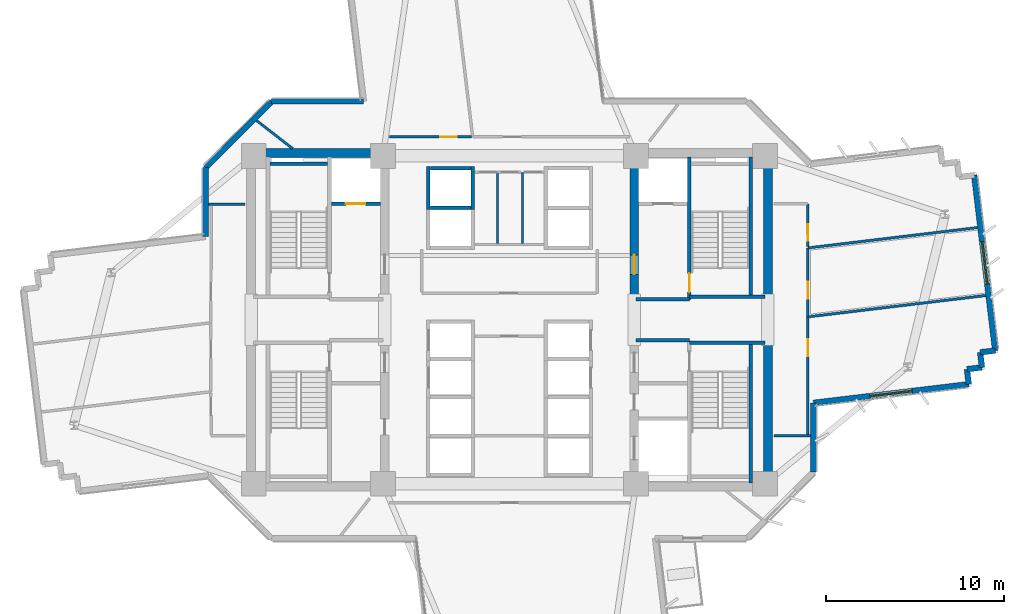
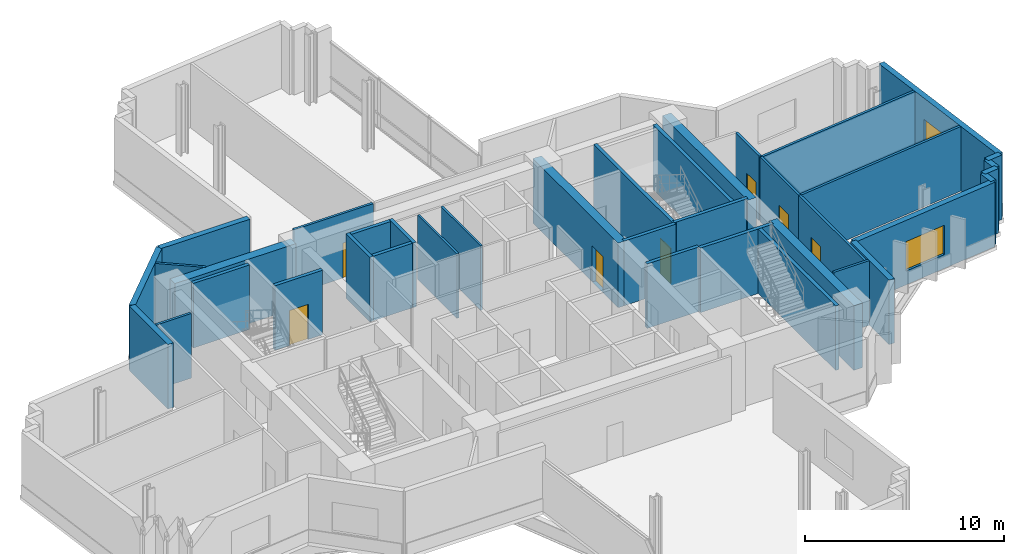
# One storey, part 8 of 15: 38 walls, 7 doors, 2 windows, 9 openings.
"""IFC4 building model written with IfcOpenShell, lengths in metres."""

from ifc_helpers import new_model, si_unit, direction, frame, frame_2d, origin, place, context, subcontext, project, spatial, rectangle, extrude, source, transform, mapped, material, layer, layer_set, type_object, element, fill, save


model = new_model("IFC4")

# Units and contexts
model_context = context("Model", 3, precision=1e-05, world=origin(), true_north=direction((0.0, 1.0)))
body_context = subcontext(model_context, "Body", "Model", "MODEL_VIEW")
ifc_project = project(units=[si_unit("LENGTHUNIT", "METRE"), si_unit("AREAUNIT", "SQUARE_METRE"), si_unit("VOLUMEUNIT", "CUBIC_METRE"), si_unit("PLANEANGLEUNIT", "RADIAN"), si_unit("MASSUNIT", "GRAM", prefix="KILO")], contexts=[model_context])

# Site, building, storey
site_placement = place(None, origin())
site = spatial("IfcSite", under=ifc_project, at=site_placement, CompositionType="ELEMENT")
building_placement = place(site_placement, origin())
building = spatial("IfcBuilding", under=site, at=building_placement, Name="Zahravan Cultural Tower", CompositionType="ELEMENT")
storey_placement = place(building_placement, frame((0.0, 0.0, 104.699951171875)))
storey = spatial("IfcBuildingStorey", under=building, at=storey_placement, Name="L23", CompositionType="ELEMENT", Elevation=104.699951171875)

# Wall, opening, door
ifc_material_1 = material(Name="Concrete C60/75", Category="concrete")
ifc_layer_1 = layer(ifc_material_1, 0.5)
ifc_layer_set_1 = layer_set([ifc_layer_1], Name="Concrete C60/75")
wall_type_1 = type_object("IfcWallType", Name="CW-SHEAR-500-C60", PredefinedType="SHEAR", material=ifc_layer_set_1)
wall_1_placement = place(storey_placement, frame((43.0, 28.050048828125, 0.0), z_axis=(0.0, 0.0, 1.0), x_axis=(0.0, 1.0, 0.0)))
wall_1 = element("IfcWall", 1, at=wall_1_placement, inside=storey, type_object=wall_type_1, Name="L23 Core Shear Wall CW-E-WN-L23", PredefinedType="SHEAR", context=body_context, shape_type="SweptSolid", body=[
    extrude(rectangle(XDim=8.550048828125, YDim=0.5, at=frame_2d((4.27490234375, 0.0))), origin(), (0.0, 0.0, 1.0), 3.949951171875),
])
opening_1_placement = place(wall_1_placement, frame((1.5, 0.0, 0.0)))
opening_1 = element("IfcOpeningElement", 2, at=opening_1_placement, cuts=wall_1, Name="Opening D-L23-06", PredefinedType="OPENING", context=body_context, shape_type="SweptSolid", body=[
    extrude(rectangle(XDim=1.10009765625, YDim=2.199951171875, at=frame_2d((0.550048828125, 1.10009765625))), frame((0.0, 0.260009765625, 0.0), z_axis=(0.0, -1.0, 0.0), x_axis=(1.0, 0.0, 0.0)), (0.0, 0.0, 1.0), 0.52001953125),
])
ifc_material_2 = material(Name="Steel ASTM A572 Grade 50", Category="steel")
door_type_1 = type_object("IfcDoorType", Name="DR-LOBBY-1100", OperationType="NOTDEFINED", PredefinedType="DOOR", material=ifc_material_2)
shared_shape_1 = source(origin(), body_context, "Body", "SweptSolid", [
    extrude(rectangle(XDim=1.10009765625, YDim=2.199951171875, at=frame_2d((0.550048828125, 1.10009765625))), frame((0.0, 0.02490234375, 0.0), z_axis=(0.0, -1.0, 0.0), x_axis=(1.0, 0.0, 0.0)), (0.0, 0.0, 1.0), 0.050048828125),
])
door_1_placement = place(opening_1_placement, origin())
door_1 = element("IfcDoor", 3, at=door_1_placement, inside=storey, type_object=door_type_1, Name="L23 Door D-L23-06", OperationType="SINGLE_SWING_LEFT", OverallHeight=2.199951171875, OverallWidth=1.10009765625, PredefinedType="DOOR", context=body_context, shape_type="MappedRepresentation", body=[
    mapped(shared_shape_1, transform((0.0, 0.0, 0.0), x_axis=(1.0, 0.0, 0.0), y_axis=(0.0, 1.0, 0.0), z_axis=(0.0, 0.0, 1.0), scale=1.0)),
])
fill(opening_1, door_1)

# Wall, opening, window
ifc_material_3 = material(Name="Precast concrete C40/50", Category="concrete")
ifc_layer_2 = layer(ifc_material_3, 0.320068359375)
ifc_layer_set_2 = layer_set([ifc_layer_2], Name="Precast concrete C40/50")
wall_type_2 = type_object("IfcWallType", Name="EW-TC-320", PredefinedType="SOLIDWALL", material=ifc_layer_set_2)
wall_2_placement = place(storey_placement, frame((62.078125, 35.12353515625, 0.0), z_axis=(0.0, 0.0, 1.0), x_axis=(0.119092815244, -0.992883125729, 0.0)))
wall_2 = element("IfcWall", 4, at=wall_2_placement, inside=storey, type_object=wall_type_2, Name="L23 Exterior Masonry Frame Wall 06", PredefinedType="SOLIDWALL", context=body_context, shape_type="SweptSolid", body=[
    extrude(rectangle(XDim=9.919921875, YDim=0.320068359375, at=frame_2d((4.9599609375, 0.0))), origin(), (0.0, 0.0, 1.0), 3.949951171875),
])
opening_2_placement = place(wall_2_placement, frame((3.760009765625, 0.0, 0.85009765625)))
opening_2 = element("IfcOpeningElement", 5, at=opening_2_placement, cuts=wall_2, Name="Opening WN-01", PredefinedType="OPENING", context=body_context, shape_type="SweptSolid", body=[
    extrude(rectangle(XDim=2.39990234375, YDim=1.800048828125, at=frame_2d((1.199951171875, 0.89990234375))), frame((0.0, 0.169921875, 0.0), z_axis=(0.0, -1.0, 0.0), x_axis=(1.0, 0.0, 0.0)), (0.0, 0.0, 1.0), 0.340087890625),
])
ifc_material_4 = material(Name="Low-E solar-control double glazing", Category="glass")
window_type = type_object("IfcWindowType", Name="WN-REC-2400X1800", PartitioningType="DOUBLE_PANEL_VERTICAL", PredefinedType="WINDOW", material=ifc_material_4)
shared_shape_2 = source(origin(), body_context, "Body", "SweptSolid", [
    extrude(rectangle(XDim=2.39990234375, YDim=1.800048828125, at=frame_2d((1.199951171875, 0.89990234375))), frame((0.0, 0.030029296875, 0.0), z_axis=(0.0, -1.0, 0.0), x_axis=(1.0, 0.0, 0.0)), (0.0, 0.0, 1.0), 0.06005859375),
])
window_1_placement = place(opening_2_placement, origin())
window_1 = element("IfcWindow", 6, at=window_1_placement, inside=storey, type_object=window_type, Name="L23 Recessed Solar Window 02", OverallHeight=1.800048828125, OverallWidth=2.39990234375, PartitioningType="DOUBLE_PANEL_VERTICAL", PredefinedType="WINDOW", context=body_context, shape_type="MappedRepresentation", body=[
    mapped(shared_shape_2, transform((0.0, 0.0, 0.0), x_axis=(1.0, 0.0, 0.0), y_axis=(0.0, 1.0, 0.0), z_axis=(0.0, 0.0, 1.0), scale=1.0)),
])
fill(opening_2, window_1)

wall_3_placement = place(storey_placement, frame((61.774169921875, 23.3837890625, 0.0), z_axis=(0.0, 0.0, 1.0), x_axis=(-0.992883944618, -0.119085987922, 0.0)))
wall_3 = element("IfcWall", 7, at=wall_3_placement, inside=storey, type_object=wall_type_2, Name="L23 Exterior Masonry Frame Wall 11", PredefinedType="SOLIDWALL", context=body_context, shape_type="SweptSolid", body=[
    extrude(rectangle(XDim=8.776611328125, YDim=0.320068359375, at=frame_2d((4.38818359375, 0.0))), origin(), (0.0, 0.0, 1.0), 3.949951171875),
])
opening_3_placement = place(wall_3_placement, frame((3.18798828125, 0.0, 0.85009765625)))
opening_3 = element("IfcOpeningElement", 8, at=opening_3_placement, cuts=wall_3, Name="Opening WN-01", PredefinedType="OPENING", context=body_context, shape_type="SweptSolid", body=[
    extrude(rectangle(XDim=2.39990234375, YDim=1.800048828125, at=frame_2d((1.199951171875, 0.89990234375))), frame((0.0, 0.169921875, 0.0), z_axis=(0.0, -1.0, 0.0), x_axis=(1.0, 0.0, 0.0)), (0.0, 0.0, 1.0), 0.340087890625),
])
window_2_placement = place(opening_3_placement, origin())
window_2 = element("IfcWindow", 9, at=window_2_placement, inside=storey, type_object=window_type, Name="L23 Recessed Solar Window 03", OverallHeight=1.800048828125, OverallWidth=2.39990234375, PartitioningType="DOUBLE_PANEL_VERTICAL", PredefinedType="WINDOW", context=body_context, shape_type="MappedRepresentation", body=[
    mapped(shared_shape_2, transform((0.0, 0.0, 0.0), x_axis=(1.0, 0.0, 0.0), y_axis=(0.0, 1.0, 0.0), z_axis=(0.0, 0.0, 1.0), scale=1.0)),
])
fill(opening_3, window_2)

# Wall, opening, door
ifc_material_5 = material(Name="Gypsum plasterboard partition")
ifc_layer_3 = layer(ifc_material_5, 0.139892578125)
ifc_layer_set_3 = layer_set([ifc_layer_3], Name="Gypsum plasterboard partition")
wall_type_3 = type_object("IfcWallType", Name="W-PART-140", PredefinedType="PARTITIONING", material=ifc_layer_set_3)
wall_4_placement = place(storey_placement, frame((52.75, 27.166015625, 0.0), z_axis=(0.0, 0.0, 1.0), x_axis=(0.0, 1.0, 0.0)))
wall_4 = element("IfcWall", 10, at=wall_4_placement, inside=storey, type_object=wall_type_3, Name="L23 Interior Wall 079", PredefinedType="PARTITIONING", context=body_context, shape_type="SweptSolid", body=[
    extrude(rectangle(XDim=3.86767578125, YDim=0.139892578125, at=frame_2d((1.933837890625, 0.0))), origin(), (0.0, 0.0, 1.0), 3.949951171875),
])
opening_4_placement = place(wall_4_placement, frame((1.02099609375, 0.0, 0.0)))
opening_4 = element("IfcOpeningElement", 11, at=opening_4_placement, cuts=wall_4, Name="Opening D-L23-17", PredefinedType="OPENING", context=body_context, shape_type="SweptSolid", body=[
    extrude(rectangle(XDim=0.949951171875, YDim=2.14990234375, at=frame_2d((0.47509765625, 1.074951171875))), frame((0.0, 0.079833984375, 0.0), z_axis=(0.0, -1.0, 0.0), x_axis=(1.0, 0.0, 0.0)), (0.0, 0.0, 1.0), 0.159912109375),
])
ifc_material_6 = material(Name="Anodised bronze-aluminium mullion", Category="aluminium")
door_type_2 = type_object("IfcDoorType", Name="DR-ROOM-950", OperationType="NOTDEFINED", PredefinedType="DOOR", material=ifc_material_6)
shared_shape_3 = source(origin(), body_context, "Body", "SweptSolid", [
    extrude(rectangle(XDim=0.949951171875, YDim=2.14990234375, at=frame_2d((0.47509765625, 1.074951171875))), frame((0.0, 0.02490234375, 0.0), z_axis=(0.0, -1.0, 0.0), x_axis=(1.0, 0.0, 0.0)), (0.0, 0.0, 1.0), 0.050048828125),
])
door_2_placement = place(opening_4_placement, origin())
door_2 = element("IfcDoor", 12, at=door_2_placement, inside=storey, type_object=door_type_2, Name="L23 Door D-L23-17", OperationType="SINGLE_SWING_RIGHT", OverallHeight=2.14990234375, OverallWidth=0.949951171875, PredefinedType="DOOR", context=body_context, shape_type="MappedRepresentation", body=[
    mapped(shared_shape_3, transform((0.0, 0.0, 0.0), x_axis=(1.0, 0.0, 0.0), y_axis=(0.0, 1.0, 0.0), z_axis=(0.0, 0.0, 1.0), scale=1.0)),
])
fill(opening_4, door_2)

wall_5_placement = place(storey_placement, frame((52.75, 20.5751953125, 0.0), z_axis=(0.0, 0.0, 1.0), x_axis=(0.0, 1.0, 0.0)))
wall_5 = element("IfcWall", 13, at=wall_5_placement, inside=storey, type_object=wall_type_3, Name="L23 Interior Wall 089", PredefinedType="PARTITIONING", context=body_context, shape_type="SweptSolid", body=[
    extrude(rectangle(XDim=6.57080078125, YDim=0.139892578125, at=frame_2d((3.285400390625, 0.0))), origin(), (0.0, 0.0, 1.0), 3.949951171875),
])
opening_5_placement = place(wall_5_placement, frame((4.384033203125, 0.0, 0.0)))
opening_5 = element("IfcOpeningElement", 14, at=opening_5_placement, cuts=wall_5, Name="Opening D-L23-16", PredefinedType="OPENING", context=body_context, shape_type="SweptSolid", body=[
    extrude(rectangle(XDim=0.949951171875, YDim=2.14990234375, at=frame_2d((0.47509765625, 1.074951171875))), frame((0.0, 0.079833984375, 0.0), z_axis=(0.0, -1.0, 0.0), x_axis=(1.0, 0.0, 0.0)), (0.0, 0.0, 1.0), 0.159912109375),
])
door_3_placement = place(opening_5_placement, origin())
door_3 = element("IfcDoor", 15, at=door_3_placement, inside=storey, type_object=door_type_2, Name="L23 Door D-L23-16", OperationType="SINGLE_SWING_LEFT", OverallHeight=2.14990234375, OverallWidth=0.949951171875, PredefinedType="DOOR", context=body_context, shape_type="MappedRepresentation", body=[
    mapped(shared_shape_3, transform((0.0, 0.0, 0.0), x_axis=(1.0, 0.0, 0.0), y_axis=(0.0, 1.0, 0.0), z_axis=(0.0, 0.0, 1.0), scale=1.0)),
])
fill(opening_5, door_3)

wall_6_placement = place(storey_placement, frame((52.75, 31.109130859375, 0.0), z_axis=(0.0, 0.0, 1.0), x_axis=(-0.001430175266, 0.999998977299, 0.0)))
wall_6 = element("IfcWall", 16, at=wall_6_placement, inside=storey, type_object=wall_type_3, Name="L23 Interior Wall 092", PredefinedType="PARTITIONING", context=body_context, shape_type="SweptSolid", body=[
    extrude(rectangle(XDim=2.389892578125, YDim=0.139892578125, at=frame_2d((1.19482421875, 0.0))), origin(), (0.0, 0.0, 1.0), 3.949951171875),
])
opening_6_placement = place(wall_6_placement, frame((0.31689453125, 0.0, 0.0)))
opening_6 = element("IfcOpeningElement", 17, at=opening_6_placement, cuts=wall_6, Name="Opening D-L23-18", PredefinedType="OPENING", context=body_context, shape_type="SweptSolid", body=[
    extrude(rectangle(XDim=0.949951171875, YDim=2.14990234375, at=frame_2d((0.47509765625, 1.074951171875))), frame((0.0, 0.079833984375, 0.0), z_axis=(0.0, -1.0, 0.0), x_axis=(1.0, 0.0, 0.0)), (0.0, 0.0, 1.0), 0.159912109375),
])
door_4_placement = place(opening_6_placement, origin())
door_4 = element("IfcDoor", 18, at=door_4_placement, inside=storey, type_object=door_type_2, Name="L23 Door D-L23-18", OperationType="SINGLE_SWING_LEFT", OverallHeight=2.14990234375, OverallWidth=0.949951171875, PredefinedType="DOOR", context=body_context, shape_type="MappedRepresentation", body=[
    mapped(shared_shape_3, transform((0.0, 0.0, 0.0), x_axis=(1.0, 0.0, 0.0), y_axis=(0.0, 1.0, 0.0), z_axis=(0.0, 0.0, 1.0), scale=1.0)),
])
fill(opening_6, door_4)

wall_7_placement = place(storey_placement, frame((33.85791015625, 37.260009765625, 0.0), z_axis=(0.0, 0.0, 1.0), x_axis=(-0.999999998592, -5.3070106e-05, 0.0)))
wall_7 = element("IfcWall", 19, at=wall_7_placement, inside=storey, type_object=wall_type_3, Name="L23 Interior Wall 098", PredefinedType="PARTITIONING", context=body_context, shape_type="SweptSolid", body=[
    extrude(rectangle(XDim=4.600341796875, YDim=0.139892578125, at=frame_2d((2.30029296875, 0.0))), origin(), (0.0, 0.0, 1.0), 3.949951171875),
])
opening_7_placement = place(wall_7_placement, frame((0.802978515625, 0.0, 0.0)))
opening_7 = element("IfcOpeningElement", 20, at=opening_7_placement, cuts=wall_7, Name="Opening D-L23-20", PredefinedType="OPENING", context=body_context, shape_type="SweptSolid", body=[
    extrude(rectangle(XDim=0.949951171875, YDim=2.14990234375, at=frame_2d((0.47509765625, 1.074951171875))), frame((0.0, 0.079833984375, 0.0), z_axis=(0.0, -1.0, 0.0), x_axis=(1.0, 0.0, 0.0)), (0.0, 0.0, 1.0), 0.159912109375),
])
door_5_placement = place(opening_7_placement, origin())
door_5 = element("IfcDoor", 21, at=door_5_placement, inside=storey, type_object=door_type_2, Name="L23 Door D-L23-20", OperationType="SINGLE_SWING_LEFT", OverallHeight=2.14990234375, OverallWidth=0.949951171875, PredefinedType="DOOR", context=body_context, shape_type="MappedRepresentation", body=[
    mapped(shared_shape_3, transform((0.0, 0.0, 0.0), x_axis=(1.0, 0.0, 0.0), y_axis=(0.0, 1.0, 0.0), z_axis=(0.0, 0.0, 1.0), scale=1.0)),
])
fill(opening_7, door_5)

ifc_material_7 = material(Name="Concrete C45/55", Category="concrete")
ifc_layer_4 = layer(ifc_material_7, 0.199951171875)
ifc_layer_set_4 = layer_set([ifc_layer_4], Name="Concrete C45/55")
wall_type_4 = type_object("IfcWallType", Name="W-SHAFT-200", PredefinedType="SOLIDWALL", material=ifc_layer_set_4)
wall_8_placement = place(storey_placement, frame((46.10009765625, 28.14990234375, 0.0), z_axis=(0.0, 0.0, 1.0), x_axis=(0.0, 1.0, 0.0)))
wall_8 = element("IfcWall", 22, at=wall_8_placement, inside=storey, type_object=wall_type_4, Name="L23 Interior Wall 008", PredefinedType="SOLIDWALL", context=body_context, shape_type="SweptSolid", body=[
    extrude(rectangle(XDim=8.0, YDim=0.199951171875, at=frame_2d((4.0, 0.0))), origin(), (0.0, 0.0, 1.0), 3.949951171875),
])
opening_8_placement = place(wall_8_placement, frame((0.39990234375, 0.0, 0.0)))
opening_8 = element("IfcOpeningElement", 23, at=opening_8_placement, cuts=wall_8, Name="Opening D-L23-02", PredefinedType="OPENING", context=body_context, shape_type="SweptSolid", body=[
    extrude(rectangle(XDim=1.050048828125, YDim=2.14990234375, at=frame_2d((0.52490234375, 1.074951171875))), frame((0.0, 0.10986328125, 0.0), z_axis=(0.0, -1.0, 0.0), x_axis=(1.0, 0.0, 0.0)), (0.0, 0.0, 1.0), 0.219970703125),
])
door_type_3 = type_object("IfcDoorType", Name="DR-STAIR-1050", OperationType="NOTDEFINED", PredefinedType="DOOR", material=ifc_material_2)
shared_shape_4 = source(origin(), body_context, "Body", "SweptSolid", [
    extrude(rectangle(XDim=1.050048828125, YDim=2.14990234375, at=frame_2d((0.52490234375, 1.074951171875))), frame((0.0, 0.02490234375, 0.0), z_axis=(0.0, -1.0, 0.0), x_axis=(1.0, 0.0, 0.0)), (0.0, 0.0, 1.0), 0.050048828125),
])
door_6_placement = place(opening_8_placement, origin())
door_6 = element("IfcDoor", 24, at=door_6_placement, inside=storey, type_object=door_type_3, Name="L23 Door D-L23-02", OperationType="SINGLE_SWING_LEFT", OverallHeight=2.14990234375, OverallWidth=1.050048828125, PredefinedType="DOOR", context=body_context, shape_type="MappedRepresentation", body=[
    mapped(shared_shape_4, transform((0.0, 0.0, 0.0), x_axis=(1.0, 0.0, 0.0), y_axis=(0.0, 1.0, 0.0), z_axis=(0.0, 0.0, 1.0), scale=1.0)),
])
fill(opening_8, door_6)

wall_9_placement = place(storey_placement, frame((26.0, 33.52001953125, 0.0), z_axis=(0.0, 0.0, 1.0), x_axis=(1.0, 0.0, 0.0)))
wall_9 = element("IfcWall", 25, at=wall_9_placement, inside=storey, type_object=wall_type_4, Name="L23 Interior Wall 021", PredefinedType="SOLIDWALL", context=body_context, shape_type="SweptSolid", body=[
    extrude(rectangle(XDim=2.75, YDim=0.199951171875, at=frame_2d((1.375, 0.0))), origin(), (0.0, 0.0, 1.0), 3.949951171875),
])
opening_9_placement = place(wall_9_placement, frame((0.820068359375, 0.0, 0.0)))
opening_9 = element("IfcOpeningElement", 26, at=opening_9_placement, cuts=wall_9, Name="Opening LD-L23-01", PredefinedType="OPENING", context=body_context, shape_type="SweptSolid", body=[
    extrude(rectangle(XDim=1.10009765625, YDim=2.14990234375, at=frame_2d((0.550048828125, 1.074951171875))), frame((0.0, 0.10986328125, 0.0), z_axis=(0.0, -1.0, 0.0), x_axis=(1.0, 0.0, 0.0)), (0.0, 0.0, 1.0), 0.219970703125),
])
door_type_4 = type_object("IfcDoorType", Name="DR-LIFT-1100", OperationType="DOUBLE_DOOR_SLIDING", PredefinedType="DOOR", material=ifc_material_2)
shared_shape_5 = source(origin(), body_context, "Body", "SweptSolid", [
    extrude(rectangle(XDim=1.10009765625, YDim=2.14990234375, at=frame_2d((0.550048828125, 1.074951171875))), frame((0.0, 0.02490234375, 0.0), z_axis=(0.0, -1.0, 0.0), x_axis=(1.0, 0.0, 0.0)), (0.0, 0.0, 1.0), 0.050048828125),
])
door_7_placement = place(opening_9_placement, origin())
door_7 = element("IfcDoor", 27, at=door_7_placement, inside=storey, type_object=door_type_4, Name="L23 Door LD-L23-01", OperationType="DOUBLE_DOOR_SLIDING", OverallHeight=2.14990234375, OverallWidth=1.10009765625, PredefinedType="DOOR", context=body_context, shape_type="MappedRepresentation", body=[
    mapped(shared_shape_5, transform((0.0, 0.0, 0.0), x_axis=(1.0, 0.0, 0.0), y_axis=(0.0, 1.0, 0.0), z_axis=(0.0, 0.0, 1.0), scale=1.0)),
])
fill(opening_9, door_7)

# Walls
shared_shape_6 = source(origin(), body_context, "Body", "SweptSolid", [
    extrude(rectangle(XDim=8.550048828125, YDim=0.5, at=frame_2d((4.27490234375, 0.0))), origin(), (0.0, 0.0, 1.0), 3.949951171875),
])
for number, where, z_axis, x_axis, name in (
    (28, (50.5, 17.39990234375, 0.0), (0.0, 0.0, 1.0), (0.0, 1.0, 0.0), "L23 Core Shear Wall CW-E-ES-L23"),
    (29, (50.5, 28.050048828125, 0.0), (0.0, 0.0, 1.0), (0.0, 1.0, 0.0), "L23 Core Shear Wall CW-E-EN-L23"),
):
    element("IfcWall", number, at=place(storey_placement, frame(where, z_axis=z_axis, x_axis=x_axis)), inside=storey, type_object=wall_type_1, Name=name, PredefinedType="SHEAR", context=body_context, shape_type="MappedRepresentation", body=[
        mapped(shared_shape_6, transform((0.0, 0.0, 0.0), x_axis=(1.0, 0.0, 0.0), y_axis=(0.0, 1.0, 0.0), z_axis=(0.0, 0.0, 1.0), scale=1.0)),
    ])
shared_shape_7 = source(origin(), body_context, "Body", "SweptSolid", [
    extrude(rectangle(XDim=7.0, YDim=0.5, at=frame_2d((3.5, 0.0))), origin(), (0.0, 0.0, 1.0), 3.949951171875),
])
wall_10_placement = place(storey_placement, frame((21.75, 36.35009765625, 0.0), z_axis=(0.0, 0.0, 1.0), x_axis=(1.0, 0.0, 0.0)))
element("IfcWall", 30, at=wall_10_placement, inside=storey, type_object=wall_type_1, Name="L23 Core Shear Wall CW-W-N-L23", PredefinedType="SHEAR", context=body_context, shape_type="MappedRepresentation", body=[
    mapped(shared_shape_7, transform((0.0, 0.0, 0.0), x_axis=(1.0, 0.0, 0.0), y_axis=(0.0, 1.0, 0.0), z_axis=(0.0, 0.0, 1.0), scale=1.0)),
])
shared_shape_8 = source(origin(), body_context, "Body", "SweptSolid", [
    extrude(rectangle(XDim=0.85009765625, YDim=0.320068359375, at=frame_2d((0.425048828125, 0.0))), origin(), (0.0, 0.0, 1.0), 3.949951171875),
])
for number, where, z_axis, x_axis, name in (
    (31, (63.259521484375, 25.274169921875, 0.0), (0.0, 0.0, 1.0), (-0.992905350382, -0.118907380694, 0.0), "L23 Exterior Masonry Frame Wall 07"),
    (32, (62.41552734375, 25.173095703125, 0.0), (0.0, 0.0, 1.0), (0.119190521137, -0.992871401376, 0.0), "L23 Exterior Masonry Frame Wall 08"),
    (33, (62.516845703125, 24.3291015625, 0.0), (0.0, 0.0, 1.0), (-0.992871401376, -0.119190521137, 0.0), "L23 Exterior Masonry Frame Wall 09"),
    (34, (61.6728515625, 24.227783203125, 0.0), (0.0, 0.0, 1.0), (0.119190521137, -0.992871401376, 0.0), "L23 Exterior Masonry Frame Wall 10"),
):
    element("IfcWall", number, at=place(storey_placement, frame(where, z_axis=z_axis, x_axis=x_axis)), inside=storey, type_object=wall_type_2, Name=name, PredefinedType="SOLIDWALL", context=body_context, shape_type="MappedRepresentation", body=[
        mapped(shared_shape_8, transform((0.0, 0.0, 0.0), x_axis=(1.0, 0.0, 0.0), y_axis=(0.0, 1.0, 0.0), z_axis=(0.0, 0.0, 1.0), scale=1.0)),
    ])
shared_shape_9 = source(origin(), body_context, "Body", "SweptSolid", [
    extrude(rectangle(XDim=5.258056640625, YDim=0.320068359375, at=frame_2d((2.62890625, 0.0))), origin(), (0.0, 0.0, 1.0), 3.949951171875),
])
wall_11_placement = place(storey_placement, frame((18.93994140625, 35.5419921875, 0.0), z_axis=(0.0, 0.0, 1.0), x_axis=(0.707106781187, 0.707106781187, 0.0)))
element("IfcWall", 35, at=wall_11_placement, inside=storey, type_object=wall_type_2, Name="L23 Exterior Masonry Frame Wall 39", PredefinedType="SOLIDWALL", context=body_context, shape_type="MappedRepresentation", body=[
    mapped(shared_shape_9, transform((0.0, 0.0, 0.0), x_axis=(1.0, 0.0, 0.0), y_axis=(0.0, 1.0, 0.0), z_axis=(0.0, 0.0, 1.0), scale=1.0)),
])
shared_shape_10 = source(origin(), body_context, "Body", "SweptSolid", [
    extrude(rectangle(XDim=3.880615234375, YDim=0.320068359375, at=frame_2d((1.9404296875, 0.0))), origin(), (0.0, 0.0, 1.0), 3.949951171875),
])
for number, where, z_axis, x_axis, name in (
    (36, (53.06005859375, 22.338623046875, 0.0), (0.0, 0.0, 1.0), (0.0, -1.0, 0.0), "L23 Exterior Masonry Frame Wall 12"),
    (37, (18.93994140625, 31.661376953125, 0.0), (0.0, 0.0, 1.0), (0.0, 1.0, 0.0), "L23 Exterior Masonry Frame Wall 38"),
):
    element("IfcWall", number, at=place(storey_placement, frame(where, z_axis=z_axis, x_axis=x_axis)), inside=storey, type_object=wall_type_2, Name=name, PredefinedType="SOLIDWALL", context=body_context, shape_type="MappedRepresentation", body=[
        mapped(shared_shape_10, transform((0.0, 0.0, 0.0), x_axis=(1.0, 0.0, 0.0), y_axis=(0.0, 1.0, 0.0), z_axis=(0.0, 0.0, 1.0), scale=1.0)),
    ])
shared_shape_11 = source(origin(), body_context, "Body", "SweptSolid", [
    extrude(rectangle(XDim=5.16357421875, YDim=0.320068359375, at=frame_2d((2.581787109375, 0.0))), origin(), (0.0, 0.0, 1.0), 3.949951171875),
])
wall_12_placement = place(storey_placement, frame((22.657958984375, 39.260009765625, 0.0), z_axis=(0.0, 0.0, 1.0), x_axis=(1.0, 0.0, 0.0)))
element("IfcWall", 38, at=wall_12_placement, inside=storey, type_object=wall_type_2, Name="L23 Exterior Masonry Frame Wall 40", PredefinedType="SOLIDWALL", context=body_context, shape_type="MappedRepresentation", body=[
    mapped(shared_shape_11, transform((0.0, 0.0, 0.0), x_axis=(1.0, 0.0, 0.0), y_axis=(0.0, 1.0, 0.0), z_axis=(0.0, 0.0, 1.0), scale=1.0)),
])
shared_shape_12 = source(origin(), body_context, "Body", "SweptSolid", [
    extrude(rectangle(XDim=7.869873046875, YDim=0.199951171875, at=frame_2d((3.93505859375, 0.0))), origin(), (0.0, 0.0, 1.0), 3.949951171875),
])
for number, where, z_axis, x_axis, name in (
    (39, (49.550048828125, 17.85009765625, 0.0), (0.0, 0.0, 1.0), (0.0, 1.0, 0.0), "L23 Interior Wall 003"),
    (40, (49.550048828125, 28.280029296875, 0.0), (0.0, 0.0, 1.0), (0.0, 1.0, 0.0), "L23 Interior Wall 004"),
):
    element("IfcWall", number, at=place(storey_placement, frame(where, z_axis=z_axis, x_axis=x_axis)), inside=storey, type_object=wall_type_4, Name=name, PredefinedType="SOLIDWALL", context=body_context, shape_type="MappedRepresentation", body=[
        mapped(shared_shape_12, transform((0.0, 0.0, 0.0), x_axis=(1.0, 0.0, 0.0), y_axis=(0.0, 1.0, 0.0), z_axis=(0.0, 0.0, 1.0), scale=1.0)),
    ])
shared_shape_13 = source(origin(), body_context, "Body", "SweptSolid", [
    extrude(rectangle(XDim=4.25, YDim=0.199951171875, at=frame_2d((2.125, 0.0))), origin(), (0.0, 0.0, 1.0), 3.949951171875),
])
for number, where, z_axis, x_axis, name in (
    (41, (46.10009765625, 25.715087890625, 0.0), (0.0, 0.0, 1.0), (1.0, 0.0, 0.0), "L23 Interior Wall 014"),
    (42, (46.10009765625, 28.284912109375, 0.0), (0.0, 0.0, 1.0), (1.0, 0.0, 0.0), "L23 Interior Wall 016"),
):
    element("IfcWall", number, at=place(storey_placement, frame(where, z_axis=z_axis, x_axis=x_axis)), inside=storey, type_object=wall_type_4, Name=name, PredefinedType="SOLIDWALL", context=body_context, shape_type="MappedRepresentation", body=[
        mapped(shared_shape_13, transform((0.0, 0.0, 0.0), x_axis=(1.0, 0.0, 0.0), y_axis=(0.0, 1.0, 0.0), z_axis=(0.0, 0.0, 1.0), scale=1.0)),
    ])
shared_shape_14 = source(origin(), body_context, "Body", "SweptSolid", [
    extrude(rectangle(XDim=3.0, YDim=0.199951171875, at=frame_2d((1.5, 0.0))), origin(), (0.0, 0.0, 1.0), 3.949951171875),
])
for number, where, z_axis, x_axis, name in (
    (43, (43.10009765625, 25.85009765625, 0.0), (0.0, 0.0, 1.0), (1.0, 0.0, 0.0), "L23 Interior Wall 013"),
    (44, (43.10009765625, 28.14990234375, 0.0), (0.0, 0.0, 1.0), (1.0, 0.0, 0.0), "L23 Interior Wall 015"),
):
    element("IfcWall", number, at=place(storey_placement, frame(where, z_axis=z_axis, x_axis=x_axis)), inside=storey, type_object=wall_type_4, Name=name, PredefinedType="SOLIDWALL", context=body_context, shape_type="MappedRepresentation", body=[
        mapped(shared_shape_14, transform((0.0, 0.0, 0.0), x_axis=(1.0, 0.0, 0.0), y_axis=(0.0, 1.0, 0.0), z_axis=(0.0, 0.0, 1.0), scale=1.0)),
    ])
shared_shape_15 = source(origin(), body_context, "Body", "SweptSolid", [
    extrude(rectangle(XDim=3.25, YDim=0.199951171875, at=frame_2d((1.625, 0.0))), origin(), (0.0, 0.0, 1.0), 3.949951171875),
])
wall_13_placement = place(storey_placement, frame((22.550048828125, 35.75, 0.0), z_axis=(0.0, 0.0, 1.0), x_axis=(1.0, 0.0, 0.0)))
element("IfcWall", 45, at=wall_13_placement, inside=storey, type_object=wall_type_4, Name="L23 Interior Wall 017", PredefinedType="SOLIDWALL", context=body_context, shape_type="MappedRepresentation", body=[
    mapped(shared_shape_15, transform((0.0, 0.0, 0.0), x_axis=(1.0, 0.0, 0.0), y_axis=(0.0, 1.0, 0.0), z_axis=(0.0, 0.0, 1.0), scale=1.0)),
])
shared_shape_16 = source(origin(), body_context, "Body", "SweptSolid", [
    extrude(rectangle(XDim=2.400146484375, YDim=0.199951171875, at=frame_2d((1.2001953125, 0.0))), origin(), (0.0, 0.0, 1.0), 3.949951171875),
])
for number, where, z_axis, x_axis, name in (
    (46, (31.449951171875, 33.199951171875, 0.0), (0.0, 0.0, 1.0), (0.0, 1.0, 0.0), "L23 Interior Wall 026"),
    (47, (33.949951171875, 33.199951171875, 0.0), (0.0, 0.0, 1.0), (0.0, 1.0, 0.0), "L23 Interior Wall 027"),
):
    element("IfcWall", number, at=place(storey_placement, frame(where, z_axis=z_axis, x_axis=x_axis)), inside=storey, type_object=wall_type_4, Name=name, PredefinedType="SOLIDWALL", context=body_context, shape_type="MappedRepresentation", body=[
        mapped(shared_shape_16, transform((0.0, 0.0, 0.0), x_axis=(1.0, 0.0, 0.0), y_axis=(0.0, 1.0, 0.0), z_axis=(0.0, 0.0, 1.0), scale=1.0)),
    ])
shared_shape_17 = source(origin(), body_context, "Body", "SweptSolid", [
    extrude(rectangle(XDim=2.260009765625, YDim=0.199951171875, at=frame_2d((1.1298828125, 0.0))), origin(), (0.0, 0.0, 1.0), 3.949951171875),
])
for number, where, z_axis, x_axis, name in (
    (48, (31.570068359375, 33.300048828125, 0.0), (0.0, 0.0, 1.0), (1.0, 0.0, 0.0), "L23 Interior Wall 028"),
    (49, (31.570068359375, 35.5, 0.0), (0.0, 0.0, 1.0), (1.0, 0.0, 0.0), "L23 Interior Wall 029"),
):
    element("IfcWall", number, at=place(storey_placement, frame(where, z_axis=z_axis, x_axis=x_axis)), inside=storey, type_object=wall_type_4, Name=name, PredefinedType="SOLIDWALL", context=body_context, shape_type="MappedRepresentation", body=[
        mapped(shared_shape_17, transform((0.0, 0.0, 0.0), x_axis=(1.0, 0.0, 0.0), y_axis=(0.0, 1.0, 0.0), z_axis=(0.0, 0.0, 1.0), scale=1.0)),
    ])
ifc_layer_5 = layer(ifc_material_5, 0.114990234375)
ifc_layer_set_5 = layer_set([ifc_layer_5], Name="Gypsum plasterboard partition")
wall_type_5 = type_object("IfcWallType", Name="W-WC-115", PredefinedType="PARTITIONING", material=ifc_layer_set_5)
shared_shape_18 = source(origin(), body_context, "Body", "SweptSolid", [
    extrude(rectangle(XDim=3.99755859375, YDim=0.114990234375, at=frame_2d((1.998779296875, 0.0))), origin(), (0.0, 0.0, 1.0), 3.949951171875),
])
wall_14_placement = place(storey_placement, frame((36.719970703125, 31.282470703125, 0.0), z_axis=(0.0, 0.0, 1.0), x_axis=(0.0, 1.0, 0.0)))
element("IfcWall", 50, at=wall_14_placement, inside=storey, type_object=wall_type_5, Name="L23 Interior Wall 067", PredefinedType="PARTITIONING", context=body_context, shape_type="MappedRepresentation", body=[
    mapped(shared_shape_18, transform((0.0, 0.0, 0.0), x_axis=(1.0, 0.0, 0.0), y_axis=(0.0, 1.0, 0.0), z_axis=(0.0, 0.0, 1.0), scale=1.0)),
])
shared_shape_19 = source(origin(), body_context, "Body", "SweptSolid", [
    extrude(rectangle(XDim=3.93505859375, YDim=0.114990234375, at=frame_2d((1.967529296875, 0.0))), origin(), (0.0, 0.0, 1.0), 3.949951171875),
])
wall_15_placement = place(storey_placement, frame((35.340087890625, 35.217529296875, 0.0), z_axis=(0.0, 0.0, 1.0), x_axis=(0.0, -1.0, 0.0)))
element("IfcWall", 51, at=wall_15_placement, inside=storey, type_object=wall_type_5, Name="L23 Interior Wall 071", PredefinedType="PARTITIONING", context=body_context, shape_type="MappedRepresentation", body=[
    mapped(shared_shape_19, transform((0.0, 0.0, 0.0), x_axis=(1.0, 0.0, 0.0), y_axis=(0.0, 1.0, 0.0), z_axis=(0.0, 0.0, 1.0), scale=1.0)),
])
shared_shape_20 = source(origin(), body_context, "Body", "SweptSolid", [
    extrude(rectangle(XDim=2.04736328125, YDim=0.139892578125, at=frame_2d((1.023681640625, 0.0))), origin(), (0.0, 0.0, 1.0), 3.949951171875),
])
wall_16_placement = place(storey_placement, frame((50.8525390625, 20.50244140625, 0.0), z_axis=(0.0, 0.0, 1.0), x_axis=(0.999999289016, -0.001192462782, 0.0)))
element("IfcWall", 52, at=wall_16_placement, inside=storey, type_object=wall_type_3, Name="L23 Interior Wall 088", PredefinedType="PARTITIONING", context=body_context, shape_type="MappedRepresentation", body=[
    mapped(shared_shape_20, transform((0.0, 0.0, 0.0), x_axis=(1.0, 0.0, 0.0), y_axis=(0.0, 1.0, 0.0), z_axis=(0.0, 0.0, 1.0), scale=1.0)),
])
shared_shape_21 = source(origin(), body_context, "Body", "SweptSolid", [
    extrude(rectangle(XDim=2.04931640625, YDim=0.139892578125, at=frame_2d((1.024658203125, 0.0))), origin(), (0.0, 0.0, 1.0), 3.949951171875),
])
wall_17_placement = place(storey_placement, frame((21.1494140625, 33.49658203125, 0.0), z_axis=(0.0, 0.0, 1.0), x_axis=(-0.999999822593, 0.000595663464, 0.0)))
element("IfcWall", 53, at=wall_17_placement, inside=storey, type_object=wall_type_3, Name="L23 Interior Wall 085", PredefinedType="PARTITIONING", context=body_context, shape_type="MappedRepresentation", body=[
    mapped(shared_shape_21, transform((0.0, 0.0, 0.0), x_axis=(1.0, 0.0, 0.0), y_axis=(0.0, 1.0, 0.0), z_axis=(0.0, 0.0, 1.0), scale=1.0)),
])
shared_shape_22 = source(origin(), body_context, "Body", "SweptSolid", [
    extrude(rectangle(XDim=9.583740234375, YDim=0.139892578125, at=frame_2d((4.7919921875, 0.0))), origin(), (0.0, 0.0, 1.0), 3.949951171875),
])
wall_18_placement = place(storey_placement, frame((52.75, 31.03369140625, 0.0), z_axis=(0.0, 0.0, 1.0), x_axis=(0.992883225705, 0.119091981737, 0.0)))
element("IfcWall", 54, at=wall_18_placement, inside=storey, type_object=wall_type_3, Name="L23 Interior Wall 080", PredefinedType="PARTITIONING", context=body_context, shape_type="MappedRepresentation", body=[
    mapped(shared_shape_22, transform((0.0, 0.0, 0.0), x_axis=(1.0, 0.0, 0.0), y_axis=(0.0, 1.0, 0.0), z_axis=(0.0, 0.0, 1.0), scale=1.0)),
])
shared_shape_23 = source(origin(), body_context, "Body", "SweptSolid", [
    extrude(rectangle(XDim=9.968994140625, YDim=0.139892578125, at=frame_2d((4.984375, 0.0))), origin(), (0.0, 0.0, 1.0), 3.949951171875),
])
wall_19_placement = place(storey_placement, frame((62.722900390625, 28.3623046875, 0.0), z_axis=(0.0, 0.0, 1.0), x_axis=(-0.992882747367, -0.119095969623, 0.0)))
element("IfcWall", 55, at=wall_19_placement, inside=storey, type_object=wall_type_3, Name="L23 Interior Wall 081", PredefinedType="PARTITIONING", context=body_context, shape_type="MappedRepresentation", body=[
    mapped(shared_shape_23, transform((0.0, 0.0, 0.0), x_axis=(1.0, 0.0, 0.0), y_axis=(0.0, 1.0, 0.0), z_axis=(0.0, 0.0, 1.0), scale=1.0)),
])
shared_shape_24 = source(origin(), body_context, "Body", "SweptSolid", [
    extrude(rectangle(XDim=2.563232421875, YDim=0.139892578125, at=frame_2d((1.28173828125, 0.0))), origin(), (0.0, 0.0, 1.0), 3.949951171875),
])
wall_20_placement = place(storey_placement, frame((21.81103515625, 38.1796875, 0.0), z_axis=(0.0, 0.0, 1.0), x_axis=(0.789034129839, -0.614349364734, 0.0)))
element("IfcWall", 56, at=wall_20_placement, inside=storey, type_object=wall_type_3, Name="L23 Interior Wall 087", PredefinedType="PARTITIONING", context=body_context, shape_type="MappedRepresentation", body=[
    mapped(shared_shape_24, transform((0.0, 0.0, 0.0), x_axis=(1.0, 0.0, 0.0), y_axis=(0.0, 1.0, 0.0), z_axis=(0.0, 0.0, 1.0), scale=1.0)),
])

save(model, "model.ifc")
